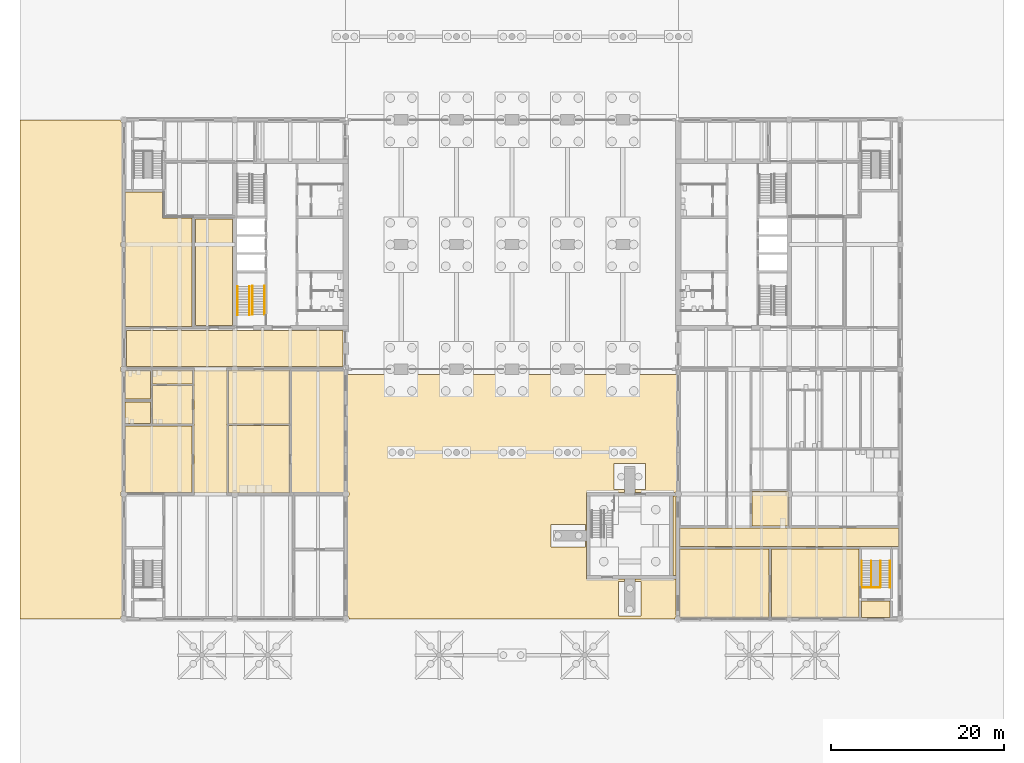
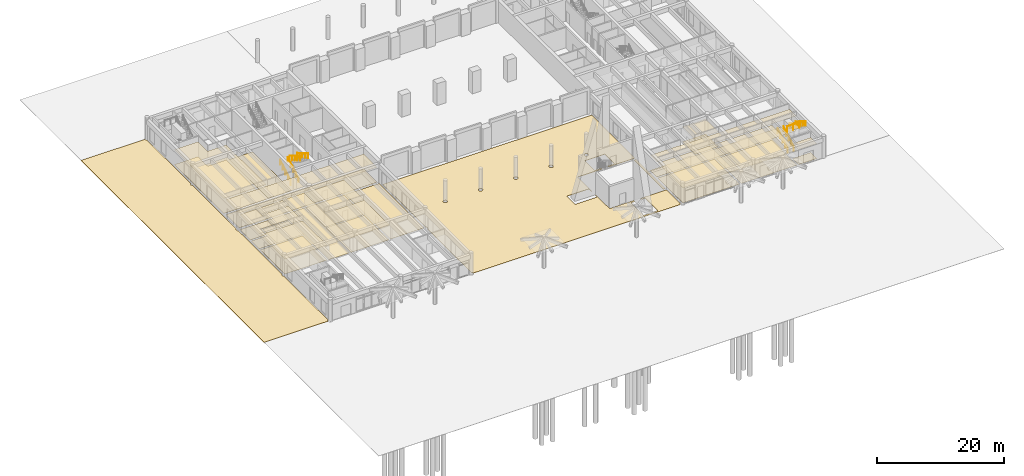
# One storey, part 25 of 28: 35 coverings, 9 railings.
"""IFC4 building model written with IfcOpenShell, lengths in metres."""

from ifc_helpers import new_model, si_unit, direction, frame, origin, origin_2d, place, context, subcontext, project, spatial, polyline, circle, outline, extrude, material, layer, layer_set, type_object, element, save


model = new_model("IFC4")

# Units and contexts
model_context = context("Model", 3, precision=1e-05, world=origin(), true_north=direction((0.0, 1.0)))
body_context = subcontext(model_context, "Body", "Model", "MODEL_VIEW")
ifc_project = project(units=[si_unit("LENGTHUNIT", "METRE"), si_unit("AREAUNIT", "SQUARE_METRE"), si_unit("VOLUMEUNIT", "CUBIC_METRE"), si_unit("PLANEANGLEUNIT", "RADIAN"), si_unit("MASSUNIT", "GRAM", prefix="KILO")], contexts=[model_context])

# Site, building, storey
site_placement = place(None, origin())
site = spatial("IfcSite", under=ifc_project, at=site_placement, CompositionType="ELEMENT")
building_placement = place(site_placement, origin())
building = spatial("IfcBuilding", under=site, at=building_placement, Name="Fogon Plaza Fire Station and Headquarters Tower", CompositionType="ELEMENT")
storey_placement = place(building_placement, origin())
storey = spatial("IfcBuildingStorey", under=building, at=storey_placement, Name="L00", CompositionType="ELEMENT", Elevation=0.0)

# Coverings
ifc_material_1 = material(Name="Acoustic Mineral Wool Ceiling Tile")
ifc_layer_1 = layer(ifc_material_1, 0.030029296875)
ifc_layer_set_1 = layer_set([ifc_layer_1], Name="Acoustic Mineral Wool Ceiling Tile")
covering_type_1 = type_object("IfcCoveringType", Name="Acoustic Ceiling 600x600", PredefinedType="CEILING", material=ifc_layer_set_1)
covering_1_placement = place(storey_placement, frame((0.0, 0.0, 2.8798828125)))
element("IfcCovering", 1, at=covering_1_placement, inside=storey, type_object=covering_type_1, Name="ceiling-L00-W-fcc", PredefinedType="CEILING", context=body_context, shape_type="SweptSolid", body=[
    extrude(outline(polyline([(0.14990234375, 14.550048828125), (0.14990234375, 22.25), (7.85009765625, 22.25), (7.85009765625, 14.550048828125), (0.14990234375, 14.550048828125)])), origin(), (0.0, 0.0, 1.0), 0.02001953125),
])
ifc_material_2 = material(Name="Concrete pavers", Category="concrete")
ifc_layer_2 = layer(ifc_material_2, 0.080078125)
ifc_layer_set_2 = layer_set([ifc_layer_2], Name="Concrete pavers")
covering_type_2 = type_object("IfcCoveringType", Name="Concrete Paver Court Paving 80", PredefinedType="USERDEFINED", material=ifc_layer_set_2)
covering_2_placement = place(storey_placement, frame((0.0, 0.0, -0.080078125)))
element("IfcCovering", 2, at=covering_2_placement, inside=storey, type_object=covering_type_2, Name="Paving court", ObjectType="PAVING", PredefinedType="USERDEFINED", context=body_context, shape_type="SweptSolid", body=[
    extrude(outline(polyline([(39.199951171875, 28.64990234375), (39.199951171875, 28.199951171875), (44.0, 28.199951171875), (45.60009765625, 28.199951171875), (45.60009765625, 28.800048828125), (45.60009765625, 28.800048828125), (45.60009765625, 28.64990234375), (45.60009765625, 28.199951171875), (50.39990234375, 28.199951171875), (50.39990234375, 28.64990234375), (50.39990234375, 28.800048828125), (50.39990234375, 28.800048828125), (50.39990234375, 28.199951171875), (52.0, 28.199951171875), (56.800048828125, 28.199951171875), (56.800048828125, 28.64990234375), (56.800048828125, 28.800048828125), (56.800048828125, 28.800048828125), (56.800048828125, 28.199951171875), (58.39990234375, 28.199951171875), (63.77490234375, 28.199951171875), (63.77490234375, 14.721435546875), (63.71728515625, 14.682861328125), (63.64990234375, 14.582275390625), (63.64990234375, 14.60009765625), (63.39990234375, 14.60009765625), (59.0, 14.60009765625), (59.0, 14.89990234375), (60.199951171875, 14.89990234375), (60.199951171875, 17.89990234375), (56.60009765625, 17.89990234375), (56.60009765625, 14.89990234375), (57.800048828125, 14.89990234375), (57.800048828125, 14.60009765625), (53.39990234375, 14.60009765625), (53.39990234375, 14.199951171875), (53.39990234375, 14.199951171875), (53.39990234375, 10.199951171875), (53.300048828125, 10.199951171875), (53.300048828125, 10.89990234375), (49.300048828125, 10.89990234375), (49.300048828125, 8.300048828125), (53.300048828125, 8.300048828125), (53.300048828125, 9.0), (53.39990234375, 9.0), (53.39990234375, 5.0), (53.39990234375, 4.60009765625), (57.800048828125, 4.60009765625), (57.800048828125, 4.300048828125), (57.10009765625, 4.300048828125), (57.10009765625, 0.300048828125), (59.699951171875, 0.300048828125), (59.699951171875, 4.300048828125), (59.0, 4.300048828125), (59.0, 4.60009765625), (63.39990234375, 4.60009765625), (63.75, 4.60009765625), (63.75, 0.35009765625), (63.77490234375, 0.35009765625), (63.77490234375, 0.321533203125), (63.71728515625, 0.28271484375), (63.63037109375, 0.153076171875), (63.60009765625, 0.0), (63.60009765625, 0.0), (26.0, 0.0), (25.969482421875, 0.153076171875), (25.8828125, 0.28271484375), (25.824951171875, 0.321533203125), (25.824951171875, 14.07861328125), (25.8828125, 14.1171875), (25.969482421875, 14.246826171875), (26.0, 14.39990234375), (25.969482421875, 14.552978515625), (25.8828125, 14.682861328125), (25.824951171875, 14.721435546875), (25.824951171875, 28.199951171875), (31.199951171875, 28.199951171875), (32.800048828125, 28.199951171875), (37.60009765625, 28.199951171875), (39.199951171875, 28.199951171875), (39.199951171875, 28.800048828125), (39.199951171875, 28.800048828125), (39.199951171875, 28.64990234375)]), holes=[polyline([(44.666015625, 18.876708984375), (44.800048828125, 18.85009765625), (44.933837890625, 18.876708984375), (45.047607421875, 18.952392578125), (45.123291015625, 19.066162109375), (45.14990234375, 19.199951171875), (45.123291015625, 19.333984375), (45.047607421875, 19.447509765625), (44.933837890625, 19.5234375), (44.800048828125, 19.550048828125), (44.666015625, 19.5234375), (44.552490234375, 19.447509765625), (44.4765625, 19.333984375), (44.449951171875, 19.199951171875), (44.4765625, 19.066162109375), (44.552490234375, 18.952392578125), (44.666015625, 18.876708984375)]), polyline([(31.8662109375, 18.876708984375), (32.0, 18.85009765625), (32.1337890625, 18.876708984375), (32.24755859375, 18.952392578125), (32.323486328125, 19.066162109375), (32.35009765625, 19.199951171875), (32.323486328125, 19.333984375), (32.24755859375, 19.447509765625), (32.1337890625, 19.5234375), (32.0, 19.550048828125), (31.8662109375, 19.5234375), (31.75244140625, 19.447509765625), (31.676513671875, 19.333984375), (31.64990234375, 19.199951171875), (31.676513671875, 19.066162109375), (31.75244140625, 18.952392578125), (31.8662109375, 18.876708984375)]), polyline([(38.152587890625, 18.952392578125), (38.26611328125, 18.876708984375), (38.39990234375, 18.85009765625), (38.533935546875, 18.876708984375), (38.6474609375, 18.952392578125), (38.723388671875, 19.066162109375), (38.75, 19.199951171875), (38.723388671875, 19.333984375), (38.6474609375, 19.447509765625), (38.533935546875, 19.5234375), (38.39990234375, 19.550048828125), (38.26611328125, 19.5234375), (38.152587890625, 19.447509765625), (38.07666015625, 19.333984375), (38.050048828125, 19.199951171875), (38.07666015625, 19.066162109375), (38.152587890625, 18.952392578125)]), polyline([(50.952392578125, 18.952392578125), (51.066162109375, 18.876708984375), (51.199951171875, 18.85009765625), (51.333984375, 18.876708984375), (51.447509765625, 18.952392578125), (51.5234375, 19.066162109375), (51.550048828125, 19.199951171875), (51.5234375, 19.333984375), (51.447509765625, 19.447509765625), (51.333984375, 19.5234375), (51.199951171875, 19.550048828125), (51.066162109375, 19.5234375), (50.952392578125, 19.447509765625), (50.876708984375, 19.333984375), (50.85009765625, 19.199951171875), (50.876708984375, 19.066162109375), (50.952392578125, 18.952392578125)]), polyline([(57.3525390625, 18.952392578125), (57.466064453125, 18.876708984375), (57.60009765625, 18.85009765625), (57.73388671875, 18.876708984375), (57.847412109375, 18.952392578125), (57.92333984375, 19.066162109375), (57.949951171875, 19.199951171875), (57.92333984375, 19.333984375), (57.847412109375, 19.447509765625), (57.73388671875, 19.5234375), (57.60009765625, 19.550048828125), (57.466064453125, 19.5234375), (57.3525390625, 19.447509765625), (57.276611328125, 19.333984375), (57.25, 19.199951171875), (57.276611328125, 19.066162109375), (57.3525390625, 18.952392578125)])]), origin(), (0.0, 0.0, 1.0), 0.080078125),
])
covering_3_placement = place(storey_placement, frame((0.0, 0.0, -0.080078125)))
element("IfcCovering", 3, at=covering_3_placement, inside=storey, type_object=covering_type_2, Name="Paving court", ObjectType="PAVING", PredefinedType="USERDEFINED", context=body_context, shape_type="SweptSolid", body=[
    extrude(outline(polyline([(63.64990234375, 14.199951171875), (63.64990234375, 14.2177734375), (63.71728515625, 14.1171875), (63.77490234375, 14.07861328125), (63.77490234375, 14.050048828125), (63.75, 14.050048828125), (63.75, 5.0), (63.39990234375, 5.0), (63.39990234375, 14.199951171875), (63.39990234375, 14.199951171875), (63.64990234375, 14.199951171875)])), origin(), (0.0, 0.0, 1.0), 0.080078125),
])
ifc_material_3 = material(Name="Carpet Tile Floor Finish")
ifc_layer_3 = layer(ifc_material_3, 0.011962890625)
ifc_layer_set_3 = layer_set([ifc_layer_3], Name="Carpet Tile Floor Finish")
covering_type_3 = type_object("IfcCoveringType", Name="Floor Finish Carpet 12", PredefinedType="FLOORING", material=ifc_layer_set_3)
covering_4_placement = place(storey_placement, origin())
element("IfcCovering", 4, at=covering_4_placement, inside=storey, type_object=covering_type_3, Name="floor-L00-W-fcc", PredefinedType="FLOORING", context=body_context, shape_type="SweptSolid", body=[
    extrude(outline(polyline([(0.14990234375, 14.550048828125), (0.14990234375, 22.25), (7.85009765625, 22.25), (7.85009765625, 14.550048828125), (0.14990234375, 14.550048828125)])), origin(), (0.0, 0.0, 1.0), 0.02490234375),
])
ifc_material_4 = material(Name="Epoxy Resin Floor Finish")
ifc_layer_4 = layer(ifc_material_4, 0.02490234375)
ifc_layer_set_4 = layer_set([ifc_layer_4], Name="Epoxy Resin Floor Finish")
covering_type_4 = type_object("IfcCoveringType", Name="Floor Finish Epoxy 25", PredefinedType="FLOORING", material=ifc_layer_set_4)
covering_5_placement = place(storey_placement, origin())
element("IfcCovering", 5, at=covering_5_placement, inside=storey, type_object=covering_type_4, Name="floor-L00-W-dth", PredefinedType="FLOORING", context=body_context, shape_type="SweptSolid", body=[
    extrude(outline(polyline([(19.35009765625, 14.550048828125), (19.35009765625, 28.64990234375), (25.449951171875, 28.64990234375), (25.449951171875, 14.550048828125), (19.35009765625, 14.550048828125)])), origin(), (0.0, 0.0, 1.0), 0.02490234375),
])
covering_6_placement = place(storey_placement, origin())
element("IfcCovering", 6, at=covering_6_placement, inside=storey, type_object=covering_type_4, Name="floor-L00-W-scba", PredefinedType="FLOORING", context=body_context, shape_type="SweptSolid", body=[
    extrude(outline(polyline([(8.25, 33.85009765625), (8.25, 46.14990234375), (12.550048828125, 46.14990234375), (12.550048828125, 33.85009765625), (8.25, 33.85009765625)])), origin(), (0.0, 0.0, 1.0), 0.02490234375),
])
ifc_material_5 = material(Name="Terrazzo Floor Finish")
ifc_layer_5 = layer(ifc_material_5, 0.02490234375)
ifc_layer_set_5 = layer_set([ifc_layer_5], Name="Terrazzo Floor Finish")
covering_type_5 = type_object("IfcCoveringType", Name="Floor Finish Terrazzo 25", PredefinedType="FLOORING", material=ifc_layer_set_5)
covering_7_placement = place(storey_placement, origin())
element("IfcCovering", 7, at=covering_7_placement, inside=storey, type_object=covering_type_5, Name="floor-L00-W-wcl", PredefinedType="FLOORING", context=body_context, shape_type="SweptSolid", body=[
    extrude(outline(polyline([(3.300048828125, 22.5), (3.300048828125, 26.89990234375), (7.89990234375, 26.89990234375), (7.89990234375, 22.5), (3.300048828125, 22.5)])), origin(), (0.0, 0.0, 1.0), 0.02490234375),
])
covering_8_placement = place(storey_placement, origin())
element("IfcCovering", 8, at=covering_8_placement, inside=storey, type_object=covering_type_5, Name="floor-L00-E-svl", PredefinedType="FLOORING", context=body_context, shape_type="SweptSolid", body=[
    extrude(outline(polyline([(74.75, 0.14990234375), (74.75, 8.050048828125), (84.85009765625, 8.050048828125), (84.85009765625, 0.14990234375), (74.75, 0.14990234375)])), origin(), (0.0, 0.0, 1.0), 0.02490234375),
])
covering_9_placement = place(storey_placement, origin())
element("IfcCovering", 9, at=covering_9_placement, inside=storey, type_object=covering_type_5, Name="floor-L00-E-crl", PredefinedType="FLOORING", context=body_context, shape_type="SweptSolid", body=[
    extrude(outline(polyline([(64.14990234375, 0.14990234375), (64.14990234375, 8.050048828125), (74.449951171875, 8.050048828125), (74.449951171875, 0.14990234375), (64.14990234375, 0.14990234375)])), origin(), (0.0, 0.0, 1.0), 0.02490234375),
])
ifc_material_6 = material(Name="Ceramic Tile Floor Finish")
ifc_layer_6 = layer(ifc_material_6, 0.02490234375)
ifc_layer_set_6 = layer_set([ifc_layer_6], Name="Ceramic Tile Floor Finish")
covering_type_6 = type_object("IfcCoveringType", Name="Floor Finish Tile 25", PredefinedType="FLOORING", material=ifc_layer_set_6)
covering_10_placement = place(storey_placement, origin())
element("IfcCovering", 10, at=covering_10_placement, inside=storey, type_object=covering_type_6, Name="floor-L00-W-wcw", PredefinedType="FLOORING", context=body_context, shape_type="SweptSolid", body=[
    extrude(outline(polyline([(0.14990234375, 22.550048828125), (0.14990234375, 25.050048828125), (3.050048828125, 25.050048828125), (3.050048828125, 22.550048828125), (0.14990234375, 22.550048828125)])), origin(), (0.0, 0.0, 1.0), 0.02490234375),
])
covering_11_placement = place(storey_placement, origin())
element("IfcCovering", 11, at=covering_11_placement, inside=storey, type_object=covering_type_6, Name="floor-L00-W-wcm", PredefinedType="FLOORING", context=body_context, shape_type="SweptSolid", body=[
    extrude(outline(polyline([(0.14990234375, 25.35009765625), (0.14990234375, 28.64990234375), (3.050048828125, 28.64990234375), (3.050048828125, 25.35009765625), (0.14990234375, 25.35009765625)])), origin(), (0.0, 0.0, 1.0), 0.02490234375),
])
covering_12_placement = place(storey_placement, origin())
element("IfcCovering", 12, at=covering_12_placement, inside=storey, type_object=covering_type_6, Name="floor-L00-W-wca", PredefinedType="FLOORING", context=body_context, shape_type="SweptSolid", body=[
    extrude(outline(polyline([(3.300048828125, 27.10009765625), (3.300048828125, 28.699951171875), (7.89990234375, 28.699951171875), (7.89990234375, 27.10009765625), (3.300048828125, 27.10009765625)])), origin(), (0.0, 0.0, 1.0), 0.02490234375),
])
covering_13_placement = place(storey_placement, origin())
element("IfcCovering", 13, at=covering_13_placement, inside=storey, type_object=covering_type_6, Name="floor-L00-W-dtt", PredefinedType="FLOORING", context=body_context, shape_type="SweptSolid", body=[
    extrude(outline(polyline([(12.10009765625, 14.5), (12.10009765625, 22.300048828125), (19.10009765625, 22.300048828125), (19.10009765625, 14.5), (12.10009765625, 14.5)])), origin(), (0.0, 0.0, 1.0), 0.02490234375),
])
covering_14_placement = place(storey_placement, origin())
element("IfcCovering", 14, at=covering_14_placement, inside=storey, type_object=covering_type_6, Name="floor-L00-E-laun", PredefinedType="FLOORING", context=body_context, shape_type="SweptSolid", body=[
    extrude(outline(polyline([(72.5, 10.699951171875), (72.5, 14.699951171875), (76.699951171875, 14.699951171875), (76.699951171875, 10.699951171875), (72.5, 10.699951171875)])), origin(), (0.0, 0.0, 1.0), 0.02490234375),
])
ifc_material_7 = material(Name="Vinyl Floor Finish")
ifc_layer_7 = layer(ifc_material_7, 0.02490234375)
ifc_layer_set_7 = layer_set([ifc_layer_7], Name="Vinyl Floor Finish")
covering_type_7 = type_object("IfcCoveringType", Name="Floor Finish Vinyl 25", PredefinedType="FLOORING", material=ifc_layer_set_7)
covering_15_placement = place(storey_placement, origin())
element("IfcCovering", 15, at=covering_15_placement, inside=storey, type_object=covering_type_7, Name="floor-L00-W-pubc", PredefinedType="FLOORING", context=body_context, shape_type="SweptSolid", body=[
    extrude(outline(polyline([(8.10009765625, 14.5), (8.10009765625, 28.699951171875), (11.89990234375, 28.699951171875), (11.89990234375, 14.5), (8.10009765625, 14.5)])), origin(), (0.0, 0.0, 1.0), 0.02490234375),
])
covering_16_placement = place(storey_placement, origin())
element("IfcCovering", 16, at=covering_16_placement, inside=storey, type_object=covering_type_7, Name="floor-L00-W-dtc", PredefinedType="FLOORING", context=body_context, shape_type="SweptSolid", body=[
    extrude(outline(polyline([(12.10009765625, 22.5), (12.10009765625, 28.699951171875), (19.10009765625, 28.699951171875), (19.10009765625, 22.5), (12.10009765625, 22.5)])), origin(), (0.0, 0.0, 1.0), 0.02490234375),
])
covering_17_placement = place(storey_placement, origin())
element("IfcCovering", 17, at=covering_17_placement, inside=storey, type_object=covering_type_7, Name="floor-L00-W-spine", PredefinedType="FLOORING", context=body_context, shape_type="SweptSolid", body=[
    extrude(outline(polyline([(0.300048828125, 29.10009765625), (0.300048828125, 33.300048828125), (25.300048828125, 33.300048828125), (25.300048828125, 29.10009765625), (0.300048828125, 29.10009765625)])), origin(), (0.0, 0.0, 1.0), 0.02490234375),
])
covering_18_placement = place(storey_placement, origin())
element("IfcCovering", 18, at=covering_18_placement, inside=storey, type_object=covering_type_7, Name="floor-L00-W-kit", PredefinedType="FLOORING", context=body_context, shape_type="SweptSolid", body=[
    extrude(outline(polyline([(0.14990234375, 33.75), (0.14990234375, 49.25), (4.449951171875, 49.25), (4.449951171875, 46.25), (7.85009765625, 46.25), (7.85009765625, 33.75), (0.14990234375, 33.75)])), origin(), (0.0, 0.0, 1.0), 0.02490234375),
])
covering_19_placement = place(storey_placement, origin())
element("IfcCovering", 19, at=covering_19_placement, inside=storey, type_object=covering_type_7, Name="Floor finish L00 east wing Stair Exit Passage South", PredefinedType="FLOORING", context=body_context, shape_type="SweptSolid", body=[
    extrude(outline(polyline([(85.14990234375, 0.14990234375), (85.14990234375, 2.050048828125), (88.449951171875, 2.050048828125), (88.449951171875, 0.14990234375), (85.14990234375, 0.14990234375)])), origin(), (0.0, 0.0, 1.0), 0.02490234375),
])
covering_20_placement = place(storey_placement, origin())
element("IfcCovering", 20, at=covering_20_placement, inside=storey, type_object=covering_type_7, Name="floor-L00-E-sc", PredefinedType="FLOORING", context=body_context, shape_type="SweptSolid", body=[
    extrude(outline(polyline([(64.14990234375, 8.35009765625), (64.14990234375, 10.449951171875), (89.449951171875, 10.449951171875), (89.449951171875, 8.35009765625), (64.14990234375, 8.35009765625)])), origin(), (0.0, 0.0, 1.0), 0.02490234375),
])

# Railing
ifc_material_8 = material(Name="Stainless Steel", Category="steel")
railing_type_1 = type_object("IfcRailingType", Name="Guard Steel 1100", PredefinedType="GUARDRAIL", material=ifc_material_8)
railing_placement = place(storey_placement, frame((85.125, 3.625, 4.199951171875)))
element("IfcRailing", 21, at=railing_placement, inside=storey, type_object=railing_type_1, Name="rail-ST8-L00-5", PredefinedType="GUARDRAIL", context=body_context, shape_type="SweptSolid", body=[
    extrude(circle(Radius=0.02392578125, at=origin_2d()), frame((0.0, 0.0, 1.076171875), z_axis=(1.0, 0.0, 0.0), x_axis=(0.0, 1.0, 0.0)), (0.0, 0.0, 1.0), 2.14990234375),
    extrude(circle(Radius=0.02099609375, at=origin_2d()), origin(), (0.0, 0.0, 1.0), 1.052001953125),
    extrude(circle(Radius=0.02099609375, at=origin_2d()), frame((1.074951171875, 0.0, 0.0)), (0.0, 0.0, 1.0), 1.052001953125),
    extrude(circle(Radius=0.02099609375, at=origin_2d()), frame((2.14990234375, 0.0, 0.0)), (0.0, 0.0, 1.0), 1.052001953125),
])

# Coverings
ifc_material_9 = material(Name="Moisture Resistant Gypsum Ceiling")
ifc_layer_8 = layer(ifc_material_9, 0.02001953125)
ifc_layer_set_8 = layer_set([ifc_layer_8], Name="Moisture Resistant Gypsum Ceiling")
covering_type_8 = type_object("IfcCoveringType", Name="Moisture Resistant Ceiling 600x600", PredefinedType="CEILING", material=ifc_layer_set_8)
covering_21_placement = place(storey_placement, frame((0.0, 0.0, 2.8798828125)))
element("IfcCovering", 22, at=covering_21_placement, inside=storey, type_object=covering_type_8, Name="ceiling-L00-W-wcw", PredefinedType="CEILING", context=body_context, shape_type="SweptSolid", body=[
    extrude(outline(polyline([(0.14990234375, 22.550048828125), (0.14990234375, 25.050048828125), (3.050048828125, 25.050048828125), (3.050048828125, 22.550048828125), (0.14990234375, 22.550048828125)])), origin(), (0.0, 0.0, 1.0), 0.02001953125),
])
covering_22_placement = place(storey_placement, frame((0.0, 0.0, 2.8798828125)))
element("IfcCovering", 23, at=covering_22_placement, inside=storey, type_object=covering_type_8, Name="ceiling-L00-W-wcm", PredefinedType="CEILING", context=body_context, shape_type="SweptSolid", body=[
    extrude(outline(polyline([(0.14990234375, 25.35009765625), (0.14990234375, 28.64990234375), (3.050048828125, 28.64990234375), (3.050048828125, 25.35009765625), (0.14990234375, 25.35009765625)])), origin(), (0.0, 0.0, 1.0), 0.02001953125),
])
covering_23_placement = place(storey_placement, frame((0.0, 0.0, 2.8798828125)))
element("IfcCovering", 24, at=covering_23_placement, inside=storey, type_object=covering_type_8, Name="ceiling-L00-W-wca", PredefinedType="CEILING", context=body_context, shape_type="SweptSolid", body=[
    extrude(outline(polyline([(3.300048828125, 27.10009765625), (3.300048828125, 28.699951171875), (7.89990234375, 28.699951171875), (7.89990234375, 27.10009765625), (3.300048828125, 27.10009765625)])), origin(), (0.0, 0.0, 1.0), 0.02001953125),
])
covering_24_placement = place(storey_placement, frame((0.0, 0.0, 2.8798828125)))
element("IfcCovering", 25, at=covering_24_placement, inside=storey, type_object=covering_type_8, Name="ceiling-L00-W-dtt", PredefinedType="CEILING", context=body_context, shape_type="SweptSolid", body=[
    extrude(outline(polyline([(12.10009765625, 14.5), (12.10009765625, 22.300048828125), (19.10009765625, 22.300048828125), (19.10009765625, 14.5), (12.10009765625, 14.5)])), origin(), (0.0, 0.0, 1.0), 0.02001953125),
])
covering_25_placement = place(storey_placement, frame((0.0, 0.0, 2.8798828125)))
element("IfcCovering", 26, at=covering_25_placement, inside=storey, type_object=covering_type_8, Name="ceiling-L00-E-laun", PredefinedType="CEILING", context=body_context, shape_type="SweptSolid", body=[
    extrude(outline(polyline([(72.5, 10.699951171875), (72.5, 14.699951171875), (76.699951171875, 14.699951171875), (76.699951171875, 10.699951171875), (72.5, 10.699951171875)])), origin(), (0.0, 0.0, 1.0), 0.02001953125),
])

# Railings
ifc_material_10 = material(Name="Steel", Category="steel")
railing_type_2 = type_object("IfcRailingType", Name="Stair Handrail 900", PredefinedType="HANDRAIL", material=ifc_material_10)
for number, where, name in (
    (27, (13.10009765625, 35.06005859375, 0.175048828125), "Handrail ST1"),
    (28, (14.5, 35.06005859375, 0.175048828125), "Handrail ST1"),
):
    element("IfcRailing", number, at=place(storey_placement, frame(where)), inside=storey, type_object=railing_type_2, Name=name, PredefinedType="HANDRAIL", context=body_context, shape_type="SweptSolid", body=[
        extrude(circle(Radius=0.02392578125, at=origin_2d()), frame((0.0, 0.0, 0.8759765625), z_axis=(0.0, 0.864761289162, 0.502183146637), x_axis=(-1.0, 0.0, 0.0)), (0.0, 0.0, 1.0), 3.833251953125),
        extrude(circle(Radius=0.02099609375, at=origin_2d()), origin(), (0.0, 0.0, 1.0), 0.851806640625),
        extrude(circle(Radius=0.02099609375, at=origin_2d()), frame((0.0, 0.82861328125, 0.481201171875)), (0.0, 0.0, 1.0), 0.851806640625),
        extrude(circle(Radius=0.02099609375, at=origin_2d()), frame((0.0, 1.657470703125, 0.96240234375)), (0.0, 0.0, 1.0), 0.851806640625),
        extrude(circle(Radius=0.02099609375, at=origin_2d()), frame((0.0, 2.486328125, 1.44384765625)), (0.0, 0.0, 1.0), 0.851806640625),
        extrude(circle(Radius=0.02099609375, at=origin_2d()), frame((0.0, 3.31494140625, 1.925048828125)), (0.0, 0.0, 1.0), 0.851806640625),
    ])
for number, where, name in (
    (29, (16.22509765625, 38.425048828125, 2.27490234375), "Handrail ST1"),
    (30, (14.824951171875, 38.425048828125, 2.27490234375), "Handrail ST1"),
):
    element("IfcRailing", number, at=place(storey_placement, frame(where)), inside=storey, type_object=railing_type_2, Name=name, PredefinedType="HANDRAIL", context=body_context, shape_type="SweptSolid", body=[
        extrude(circle(Radius=0.02392578125, at=origin_2d()), frame((0.0, 0.0, 0.8759765625), z_axis=(0.0, -0.864761289162, 0.502183146637), x_axis=(1.0, 0.0, 0.0)), (0.0, 0.0, 1.0), 3.833251953125),
        extrude(circle(Radius=0.02099609375, at=origin_2d()), origin(), (0.0, 0.0, 1.0), 0.851806640625),
        extrude(circle(Radius=0.02099609375, at=origin_2d()), frame((0.0, -0.82861328125, 0.481201171875)), (0.0, 0.0, 1.0), 0.851806640625),
        extrude(circle(Radius=0.02099609375, at=origin_2d()), frame((0.0, -1.657470703125, 0.96240234375)), (0.0, 0.0, 1.0), 0.851806640625),
        extrude(circle(Radius=0.02099609375, at=origin_2d()), frame((0.0, -2.486328125, 1.44384765625)), (0.0, 0.0, 1.0), 0.851806640625),
        extrude(circle(Radius=0.02099609375, at=origin_2d()), frame((0.0, -3.31494140625, 1.925048828125)), (0.0, 0.0, 1.0), 0.851806640625),
    ])
ifc_material_11 = material(Name="Stainless Steel", Category="steel")
railing_type_3 = type_object("IfcRailingType", Name="Stair Handrail Steel 900", PredefinedType="HANDRAIL", material=ifc_material_11)
for number, where, name in (
    (31, (85.175048828125, 3.625, 0.175048828125), "rail-ST8-L00-1"),
    (32, (86.27490234375, 3.625, 0.175048828125), "rail-ST8-L00-2"),
):
    element("IfcRailing", number, at=place(storey_placement, frame(where)), inside=storey, type_object=railing_type_3, Name=name, PredefinedType="HANDRAIL", context=body_context, shape_type="SweptSolid", body=[
        extrude(circle(Radius=0.02392578125, at=origin_2d()), frame((0.0, 0.0, 0.8759765625), z_axis=(0.0, 0.847998304005, 0.529998940003), x_axis=(-1.0, 0.0, 0.0)), (0.0, 0.0, 1.0), 3.632080078125),
        extrude(circle(Radius=0.02099609375, at=origin_2d()), origin(), (0.0, 0.0, 1.0), 0.851806640625),
        extrude(circle(Radius=0.02099609375, at=origin_2d()), frame((0.0, 0.77001953125, 0.481201171875)), (0.0, 0.0, 1.0), 0.851806640625),
        extrude(circle(Radius=0.02099609375, at=origin_2d()), frame((0.0, 1.5400390625, 0.96240234375)), (0.0, 0.0, 1.0), 0.851806640625),
        extrude(circle(Radius=0.02099609375, at=origin_2d()), frame((0.0, 2.31005859375, 1.44384765625)), (0.0, 0.0, 1.0), 0.851806640625),
        extrude(circle(Radius=0.02099609375, at=origin_2d()), frame((0.0, 3.080078125, 1.925048828125)), (0.0, 0.0, 1.0), 0.851806640625),
    ])
for number, where, name in (
    (33, (87.324951171875, 6.705078125, 2.27490234375), "rail-ST8-L00-3"),
    (34, (88.425048828125, 6.705078125, 2.27490234375), "rail-ST8-L00-4"),
):
    element("IfcRailing", number, at=place(storey_placement, frame(where)), inside=storey, type_object=railing_type_3, Name=name, PredefinedType="HANDRAIL", context=body_context, shape_type="SweptSolid", body=[
        extrude(circle(Radius=0.02392578125, at=origin_2d()), frame((0.0, 0.0, 0.8759765625), z_axis=(0.0, -0.847998304005, 0.529998940003), x_axis=(1.0, 0.0, 0.0)), (0.0, 0.0, 1.0), 3.632080078125),
        extrude(circle(Radius=0.02099609375, at=origin_2d()), origin(), (0.0, 0.0, 1.0), 0.851806640625),
        extrude(circle(Radius=0.02099609375, at=origin_2d()), frame((0.0, -0.77001953125, 0.481201171875)), (0.0, 0.0, 1.0), 0.851806640625),
        extrude(circle(Radius=0.02099609375, at=origin_2d()), frame((0.0, -1.5400390625, 0.96240234375)), (0.0, 0.0, 1.0), 0.851806640625),
        extrude(circle(Radius=0.02099609375, at=origin_2d()), frame((0.0, -2.31005859375, 1.44384765625)), (0.0, 0.0, 1.0), 0.851806640625),
        extrude(circle(Radius=0.02099609375, at=origin_2d()), frame((0.0, -3.080078125, 1.925048828125)), (0.0, 0.0, 1.0), 0.851806640625),
    ])

# Coverings
ifc_material_12 = material(Name="Stone setts", Category="masonry")
ifc_layer_9 = layer(ifc_material_12, 0.080078125)
ifc_layer_set_9 = layer_set([ifc_layer_9], Name="Stone setts")
covering_type_9 = type_object("IfcCoveringType", Name="Stone Setts Flank Paving 80", PredefinedType="USERDEFINED", material=ifc_layer_set_9)
covering_26_placement = place(storey_placement, frame((0.0, 0.0, -0.080078125)))
element("IfcCovering", 35, at=covering_26_placement, inside=storey, type_object=covering_type_9, Name="Paving flank-W", ObjectType="PAVING", PredefinedType="USERDEFINED", context=body_context, shape_type="SweptSolid", body=[
    extrude(outline(polyline([(-11.9951171875, 57.60009765625), (-0.39990234375, 57.60009765625), (-0.36962890625, 57.447021484375), (-0.28271484375, 57.317138671875), (-0.22509765625, 57.278564453125), (-0.22509765625, 43.521484375), (-0.28271484375, 43.48291015625), (-0.36962890625, 43.35302734375), (-0.39990234375, 43.199951171875), (-0.36962890625, 43.046875), (-0.28271484375, 42.917236328125), (-0.22509765625, 42.87841796875), (-0.22509765625, 29.12158203125), (-0.28271484375, 29.082763671875), (-0.36962890625, 28.953125), (-0.39990234375, 28.800048828125), (-0.36962890625, 28.64697265625), (-0.28271484375, 28.51708984375), (-0.22509765625, 28.478515625), (-0.22509765625, 14.721435546875), (-0.28271484375, 14.682861328125), (-0.36962890625, 14.552978515625), (-0.39990234375, 14.39990234375), (-0.36962890625, 14.246826171875), (-0.28271484375, 14.1171875), (-0.22509765625, 14.07861328125), (-0.22509765625, 0.321533203125), (-0.28271484375, 0.28271484375), (-0.36962890625, 0.153076171875), (-0.39990234375, 0.0), (-0.39990234375, 0.0), (-11.9951171875, 0.0), (-11.9951171875, 57.60009765625)])), origin(), (0.0, 0.0, 1.0), 0.080078125),
])
ifc_material_13 = material(Name="Mineral Fibre Ceiling Tile")
ifc_layer_10 = layer(ifc_material_13, 0.02001953125)
ifc_layer_set_10 = layer_set([ifc_layer_10], Name="Mineral Fibre Ceiling Tile")
covering_type_10 = type_object("IfcCoveringType", Name="Suspended Ceiling 600x600", PredefinedType="CEILING", material=ifc_layer_set_10)
covering_27_placement = place(storey_placement, frame((0.0, 0.0, 2.8798828125)))
element("IfcCovering", 36, at=covering_27_placement, inside=storey, type_object=covering_type_10, Name="ceiling-L00-W-wcl", PredefinedType="CEILING", context=body_context, shape_type="SweptSolid", body=[
    extrude(outline(polyline([(3.300048828125, 22.5), (3.300048828125, 26.89990234375), (7.89990234375, 26.89990234375), (7.89990234375, 22.5), (3.300048828125, 22.5)])), origin(), (0.0, 0.0, 1.0), 0.02001953125),
])
covering_28_placement = place(storey_placement, frame((0.0, 0.0, 2.8798828125)))
element("IfcCovering", 37, at=covering_28_placement, inside=storey, type_object=covering_type_10, Name="ceiling-L00-W-pubc", PredefinedType="CEILING", context=body_context, shape_type="SweptSolid", body=[
    extrude(outline(polyline([(8.10009765625, 14.5), (8.10009765625, 28.699951171875), (11.89990234375, 28.699951171875), (11.89990234375, 14.5), (8.10009765625, 14.5)])), origin(), (0.0, 0.0, 1.0), 0.02001953125),
])
covering_29_placement = place(storey_placement, frame((0.0, 0.0, 2.8798828125)))
element("IfcCovering", 38, at=covering_29_placement, inside=storey, type_object=covering_type_10, Name="ceiling-L00-W-dtc", PredefinedType="CEILING", context=body_context, shape_type="SweptSolid", body=[
    extrude(outline(polyline([(12.10009765625, 22.5), (12.10009765625, 28.699951171875), (19.10009765625, 28.699951171875), (19.10009765625, 22.5), (12.10009765625, 22.5)])), origin(), (0.0, 0.0, 1.0), 0.02001953125),
])
covering_30_placement = place(storey_placement, frame((0.0, 0.0, 2.8798828125)))
element("IfcCovering", 39, at=covering_30_placement, inside=storey, type_object=covering_type_10, Name="ceiling-L00-W-spine", PredefinedType="CEILING", context=body_context, shape_type="SweptSolid", body=[
    extrude(outline(polyline([(0.300048828125, 29.10009765625), (0.300048828125, 33.300048828125), (25.300048828125, 33.300048828125), (25.300048828125, 29.10009765625), (0.300048828125, 29.10009765625)])), origin(), (0.0, 0.0, 1.0), 0.02001953125),
])
covering_31_placement = place(storey_placement, frame((0.0, 0.0, 2.8798828125)))
element("IfcCovering", 40, at=covering_31_placement, inside=storey, type_object=covering_type_10, Name="ceiling-L00-W-kit", PredefinedType="CEILING", context=body_context, shape_type="SweptSolid", body=[
    extrude(outline(polyline([(0.14990234375, 33.75), (0.14990234375, 49.25), (4.449951171875, 49.25), (4.449951171875, 46.25), (7.85009765625, 46.25), (7.85009765625, 33.75), (0.14990234375, 33.75)])), origin(), (0.0, 0.0, 1.0), 0.02001953125),
])
covering_32_placement = place(storey_placement, frame((0.0, 0.0, 2.8798828125)))
element("IfcCovering", 41, at=covering_32_placement, inside=storey, type_object=covering_type_10, Name="Ceiling finish L00 east wing Stair Exit Passage South", PredefinedType="CEILING", context=body_context, shape_type="SweptSolid", body=[
    extrude(outline(polyline([(85.14990234375, 0.14990234375), (85.14990234375, 2.050048828125), (88.449951171875, 2.050048828125), (88.449951171875, 0.14990234375), (85.14990234375, 0.14990234375)])), origin(), (0.0, 0.0, 1.0), 0.02001953125),
])
covering_33_placement = place(storey_placement, frame((0.0, 0.0, 2.8798828125)))
element("IfcCovering", 42, at=covering_33_placement, inside=storey, type_object=covering_type_10, Name="ceiling-L00-E-svl", PredefinedType="CEILING", context=body_context, shape_type="SweptSolid", body=[
    extrude(outline(polyline([(74.75, 0.14990234375), (74.75, 8.050048828125), (84.85009765625, 8.050048828125), (84.85009765625, 0.14990234375), (74.75, 0.14990234375)])), origin(), (0.0, 0.0, 1.0), 0.02001953125),
])
covering_34_placement = place(storey_placement, frame((0.0, 0.0, 2.8798828125)))
element("IfcCovering", 43, at=covering_34_placement, inside=storey, type_object=covering_type_10, Name="ceiling-L00-E-crl", PredefinedType="CEILING", context=body_context, shape_type="SweptSolid", body=[
    extrude(outline(polyline([(64.14990234375, 0.14990234375), (64.14990234375, 8.050048828125), (74.449951171875, 8.050048828125), (74.449951171875, 0.14990234375), (64.14990234375, 0.14990234375)])), origin(), (0.0, 0.0, 1.0), 0.02001953125),
])
covering_35_placement = place(storey_placement, frame((0.0, 0.0, 2.8798828125)))
element("IfcCovering", 44, at=covering_35_placement, inside=storey, type_object=covering_type_10, Name="ceiling-L00-E-sc", PredefinedType="CEILING", context=body_context, shape_type="SweptSolid", body=[
    extrude(outline(polyline([(64.14990234375, 8.35009765625), (64.14990234375, 10.449951171875), (89.449951171875, 10.449951171875), (89.449951171875, 8.35009765625), (64.14990234375, 8.35009765625)])), origin(), (0.0, 0.0, 1.0), 0.02001953125),
])

save(model, "model.ifc")
